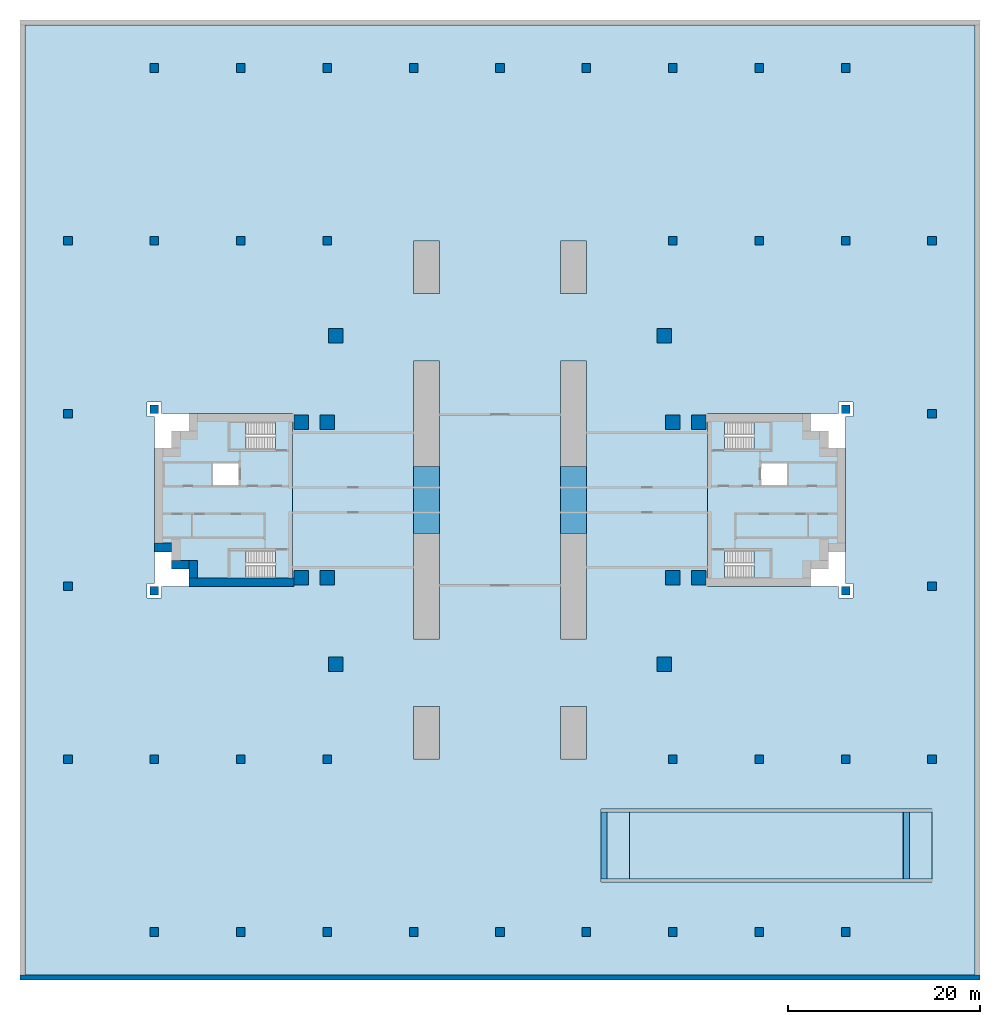
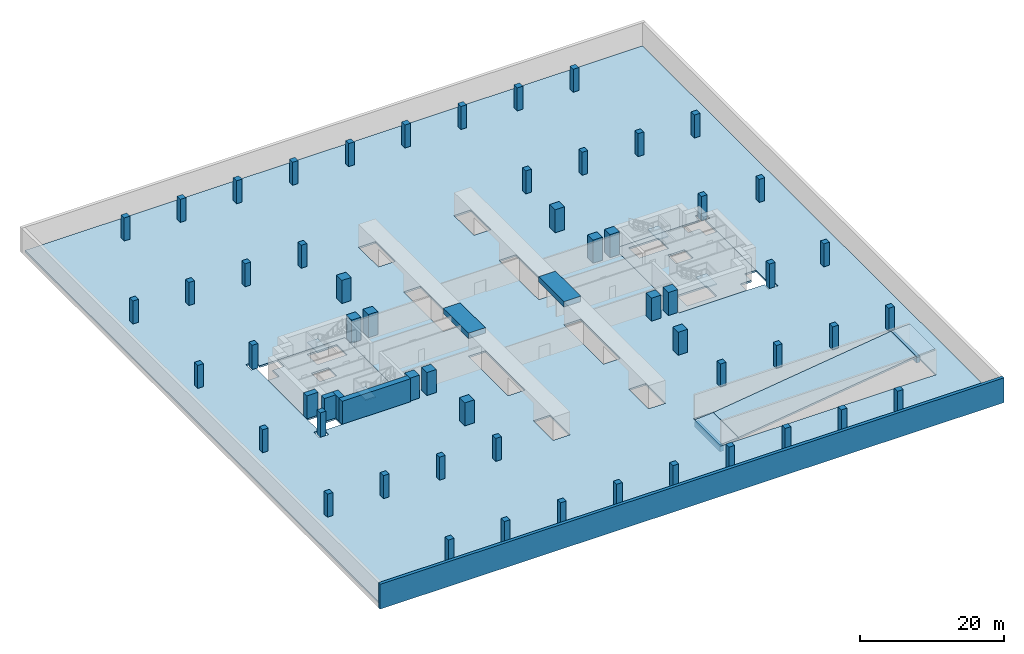
# One storey, part 1 of 8: 54 columns, 10 slabs, 5 walls, 4 beams, 4 elements without a shape of their own.
"""IFC4 building model written with IfcOpenShell, lengths in metres."""

from ifc_helpers import new_model, si_unit, direction, frame, frame_2d, origin, origin_2d, place, context, subcontext, project, spatial, polyline, rectangle, outline, extrude, material, layer, layer_set, material_profile, profile_set, type_object, element, aggregate, save


model = new_model("IFC4")

# Units and contexts
model_context = context("Model", 3, precision=1e-05, world=origin(), true_north=direction((0.0, 1.0)))
body_context = subcontext(model_context, "Body", "Model", "MODEL_VIEW")
ifc_project = project(units=[si_unit("LENGTHUNIT", "METRE"), si_unit("AREAUNIT", "SQUARE_METRE"), si_unit("VOLUMEUNIT", "CUBIC_METRE"), si_unit("PLANEANGLEUNIT", "RADIAN"), si_unit("MASSUNIT", "GRAM", prefix="KILO")], contexts=[model_context])

# Site, building, storey
site_placement = place(None, origin())
site = spatial("IfcSite", under=ifc_project, at=site_placement, CompositionType="ELEMENT")
building_placement = place(site_placement, origin())
building = spatial("IfcBuilding", under=site, at=building_placement, Name="Perihelion Cross Residences", CompositionType="ELEMENT")
storey_placement = place(building_placement, frame((0.0, 0.0, -8.699951171875)))
storey = spatial("IfcBuildingStorey", under=building, at=storey_placement, Name="B2", CompositionType="ELEMENT", Elevation=-8.699951171875)

# Columns
ifc_material_1 = material(Name="Concrete C80/95", Category="concrete")
ifc_material_profile_1 = material_profile(ifc_material_1, rectangle(XDim=1.5, YDim=1.5, at=origin_2d()), Name="RC 1500x1500")
ifc_profile_set_1 = profile_set([ifc_material_profile_1], Name="Concrete C80/95")
column_type_1 = type_object("IfcColumnType", Name="Reinforced concrete column 1500x1500 C80/95", PredefinedType="COLUMN", material=ifc_profile_set_1)
for number, where, z_axis, x_axis, name in (
    (1, (-20.699951171875, -8.10009765625, -0.300048828125), (0.0, 0.0, 1.0), (1.0, 0.0, 0.0), "Column C017 B2 no. 1"),
    (2, (-20.699951171875, 8.10009765625, -0.300048828125), (0.0, 0.0, 1.0), (1.0, 0.0, 0.0), "Column C010 B2 no. 1"),
    (3, (-18.0, -8.10009765625, -0.300048828125), (0.0, 0.0, 1.0), (1.0, 0.0, 0.0), "Column C018 B2 no. 1"),
    (4, (-18.0, 8.10009765625, -0.300048828125), (0.0, 0.0, 1.0), (1.0, 0.0, 0.0), "Column C011 B2 no. 1"),
    (5, (18.0, -8.10009765625, -0.300048828125), (0.0, 0.0, 1.0), (1.0, 0.0, 0.0), "Column C021 B2 no. 1"),
    (6, (18.0, 8.10009765625, -0.300048828125), (0.0, 0.0, 1.0), (1.0, 0.0, 0.0), "Column C015 B2 no. 1"),
    (7, (20.699951171875, -8.10009765625, -0.300048828125), (0.0, 0.0, 1.0), (1.0, 0.0, 0.0), "Column C022 B2 no. 1"),
    (8, (20.699951171875, 8.10009765625, -0.300048828125), (0.0, 0.0, 1.0), (1.0, 0.0, 0.0), "Column C016 B2 no. 1"),
    (9, (17.10009765625, 17.10009765625, -0.300048828125), (0.0, 0.0, 1.0), (1.0, 0.0, 0.0), "Column C009 B2 no. 1"),
    (10, (-17.10009765625, 17.10009765625, -0.300048828125), (0.0, 0.0, 1.0), (1.0, 0.0, 0.0), "Column C008 B2 no. 1"),
    (11, (-17.10009765625, -17.10009765625, -0.300048828125), (0.0, 0.0, 1.0), (1.0, 0.0, 0.0), "Column C030 B2 no. 1"),
    (12, (17.10009765625, -17.10009765625, -0.300048828125), (0.0, 0.0, 1.0), (1.0, 0.0, 0.0), "Column C036 B2 no. 1"),
):
    element("IfcColumn", number, at=place(storey_placement, frame(where, z_axis=z_axis, x_axis=x_axis)), inside=storey, type_object=column_type_1, Name=name, PredefinedType="COLUMN", context=body_context, shape_type="SweptSolid", body=[
        extrude(rectangle(XDim=1.5, YDim=1.5, at=origin_2d()), origin(), (0.0, 0.0, 1.0), 4.199951171875),
    ])
ifc_material_2 = material(Name="Concrete C50/60", Category="concrete")
ifc_material_profile_2 = material_profile(ifc_material_2, rectangle(XDim=0.89990234375, YDim=0.89990234375, at=origin_2d()), Name="RC 900x900")
ifc_profile_set_2 = profile_set([ifc_material_profile_2], Name="Concrete C50/60")
column_type_2 = type_object("IfcColumnType", Name="Reinforced concrete column 900x900 C50/60", PredefinedType="COLUMN", material=ifc_profile_set_2)
for number, where, z_axis, x_axis, name in (
    (13, (-45.0, -27.0, -0.300048828125), (0.0, 0.0, 1.0), (1.0, 0.0, 0.0), "Column CP12 B2 no. 1"),
    (14, (-45.0, -9.0, -0.300048828125), (0.0, 0.0, 1.0), (1.0, 0.0, 0.0), "Column CP13 B2 no. 1"),
    (15, (-45.0, 9.0, -0.300048828125), (0.0, 0.0, 1.0), (1.0, 0.0, 0.0), "Column CP14 B2 no. 1"),
    (16, (-45.0, 27.0, -0.300048828125), (0.0, 0.0, 1.0), (1.0, 0.0, 0.0), "Column CP15 B2 no. 1"),
    (17, (-36.0, -45.0, -0.300048828125), (0.0, 0.0, 1.0), (1.0, 0.0, 0.0), "Column CP21 B2 no. 1"),
    (18, (-36.0, -27.0, -0.300048828125), (0.0, 0.0, 1.0), (1.0, 0.0, 0.0), "Column CP22 B2 no. 1"),
    (19, (-36.0, 27.0, -0.300048828125), (0.0, 0.0, 1.0), (1.0, 0.0, 0.0), "Column CP25 B2 no. 1"),
    (20, (-36.0, 45.0, -0.300048828125), (0.0, 0.0, 1.0), (1.0, 0.0, 0.0), "Column CP26 B2 no. 1"),
    (21, (-27.0, -45.0, -0.300048828125), (0.0, 0.0, 1.0), (1.0, 0.0, 0.0), "Column CP31 B2 no. 1"),
    (22, (-27.0, -27.0, -0.300048828125), (0.0, 0.0, 1.0), (1.0, 0.0, 0.0), "Column CP32 B2 no. 1"),
    (23, (-27.0, 27.0, -0.300048828125), (0.0, 0.0, 1.0), (1.0, 0.0, 0.0), "Column CP35 B2 no. 1"),
    (24, (-27.0, 45.0, -0.300048828125), (0.0, 0.0, 1.0), (1.0, 0.0, 0.0), "Column CP36 B2 no. 1"),
    (25, (-18.0, -45.0, -0.300048828125), (0.0, 0.0, 1.0), (1.0, 0.0, 0.0), "Column CP41 B2 no. 1"),
    (26, (-18.0, -27.0, -0.300048828125), (0.0, 0.0, 1.0), (1.0, 0.0, 0.0), "Column CP42 B2 no. 1"),
    (27, (-18.0, 27.0, -0.300048828125), (0.0, 0.0, 1.0), (1.0, 0.0, 0.0), "Column CP45 B2 no. 1"),
    (28, (-18.0, 45.0, -0.300048828125), (0.0, 0.0, 1.0), (1.0, 0.0, 0.0), "Column CP46 B2 no. 1"),
    (29, (-9.0, -45.0, -0.300048828125), (0.0, 0.0, 1.0), (1.0, 0.0, 0.0), "Column CP51 B2 no. 1"),
    (30, (-9.0, 45.0, -0.300048828125), (0.0, 0.0, 1.0), (1.0, 0.0, 0.0), "Column CP56 B2 no. 1"),
    (31, (0.0, -45.0, -0.300048828125), (0.0, 0.0, 1.0), (1.0, 0.0, 0.0), "Column CP61 B2 no. 1"),
    (32, (0.0, 45.0, -0.300048828125), (0.0, 0.0, 1.0), (1.0, 0.0, 0.0), "Column CP66 B2 no. 1"),
    (33, (9.0, -45.0, -0.300048828125), (0.0, 0.0, 1.0), (1.0, 0.0, 0.0), "Column CP71 B2 no. 1"),
    (34, (9.0, 45.0, -0.300048828125), (0.0, 0.0, 1.0), (1.0, 0.0, 0.0), "Column CP76 B2 no. 1"),
    (35, (18.0, -45.0, -0.300048828125), (0.0, 0.0, 1.0), (1.0, 0.0, 0.0), "Column CP81 B2 no. 1"),
    (36, (18.0, -27.0, -0.300048828125), (0.0, 0.0, 1.0), (1.0, 0.0, 0.0), "Column CP82 B2 no. 1"),
    (37, (18.0, 27.0, -0.300048828125), (0.0, 0.0, 1.0), (1.0, 0.0, 0.0), "Column CP85 B2 no. 1"),
    (38, (18.0, 45.0, -0.300048828125), (0.0, 0.0, 1.0), (1.0, 0.0, 0.0), "Column CP86 B2 no. 1"),
    (39, (27.0, -45.0, -0.300048828125), (0.0, 0.0, 1.0), (1.0, 0.0, 0.0), "Column CP91 B2 no. 1"),
    (40, (27.0, -27.0, -0.300048828125), (0.0, 0.0, 1.0), (1.0, 0.0, 0.0), "Column CP92 B2 no. 1"),
    (41, (27.0, 27.0, -0.300048828125), (0.0, 0.0, 1.0), (1.0, 0.0, 0.0), "Column CP95 B2 no. 1"),
    (42, (27.0, 45.0, -0.300048828125), (0.0, 0.0, 1.0), (1.0, 0.0, 0.0), "Column CP96 B2 no. 1"),
    (43, (36.0, -45.0, -0.300048828125), (0.0, 0.0, 1.0), (1.0, 0.0, 0.0), "Column CP101 B2 no. 1"),
    (44, (36.0, -27.0, -0.300048828125), (0.0, 0.0, 1.0), (1.0, 0.0, 0.0), "Column CP102 B2 no. 1"),
    (45, (36.0, 27.0, -0.300048828125), (0.0, 0.0, 1.0), (1.0, 0.0, 0.0), "Column CP105 B2 no. 1"),
    (46, (36.0, 45.0, -0.300048828125), (0.0, 0.0, 1.0), (1.0, 0.0, 0.0), "Column CP106 B2 no. 1"),
    (47, (45.0, -27.0, -0.300048828125), (0.0, 0.0, 1.0), (1.0, 0.0, 0.0), "Column CP112 B2 no. 1"),
    (48, (45.0, -9.0, -0.300048828125), (0.0, 0.0, 1.0), (1.0, 0.0, 0.0), "Column CP113 B2 no. 1"),
    (49, (45.0, 9.0, -0.300048828125), (0.0, 0.0, 1.0), (1.0, 0.0, 0.0), "Column CP114 B2 no. 1"),
    (50, (45.0, 27.0, -0.300048828125), (0.0, 0.0, 1.0), (1.0, 0.0, 0.0), "Column CP115 B2 no. 1"),
    (51, (36.0, 9.449951171875, -0.300048828125), (0.0, 0.0, 1.0), (1.0, 0.0, 0.0), "Column LC1 B2 loggia no. 1"),
    (52, (36.0, -9.449951171875, -0.300048828125), (0.0, 0.0, 1.0), (1.0, 0.0, 0.0), "Column LC2 B2 loggia no. 1"),
    (53, (-36.0, 9.449951171875, -0.300048828125), (0.0, 0.0, 1.0), (1.0, 0.0, 0.0), "Column LC3 B2 loggia no. 1"),
    (54, (-36.0, -9.449951171875, -0.300048828125), (0.0, 0.0, 1.0), (1.0, 0.0, 0.0), "Column LC4 B2 loggia no. 1"),
):
    element("IfcColumn", number, at=place(storey_placement, frame(where, z_axis=z_axis, x_axis=x_axis)), inside=storey, type_object=column_type_2, Name=name, PredefinedType="COLUMN", context=body_context, shape_type="SweptSolid", body=[
        extrude(rectangle(XDim=0.89990234375, YDim=0.89990234375, at=origin_2d()), origin(), (0.0, 0.0, 1.0), 4.199951171875),
    ])

# Beams
ifc_material_3 = material(Name="Concrete C60/75", Category="concrete")
ifc_material_profile_3 = material_profile(ifc_material_3, rectangle(XDim=2.699951171875, YDim=0.89990234375, at=origin_2d()), Name="Lane lintel beam 2700 x 900 concrete C60/75")
ifc_profile_set_3 = profile_set([ifc_material_profile_3], Name="Concrete C60/75")
beam_type_1 = type_object("IfcBeamType", Name="Lane lintel beam 2700 x 900 concrete C60/75", PredefinedType="BEAM", material=ifc_profile_set_3)
for number, where, z_axis, x_axis, name in (
    (55, (7.64990234375, -3.5, 3.449951171875), (0.0, 1.0, 0.0), (-1.0, 0.0, 0.0), "Beam CB7 B2 pier east lintel"),
    (56, (-7.64990234375, -3.5, 3.449951171875), (0.0, 1.0, 0.0), (-1.0, 0.0, 0.0), "Beam CB7 B2 pier west lintel"),
):
    element("IfcBeam", number, at=place(storey_placement, frame(where, z_axis=z_axis, x_axis=x_axis)), inside=storey, type_object=beam_type_1, Name=name, PredefinedType="BEAM", context=body_context, shape_type="SweptSolid", body=[
        extrude(rectangle(XDim=2.699951171875, YDim=0.89990234375, at=origin_2d()), origin(), (0.0, 0.0, 1.0), 7.0),
    ])
ifc_material_4 = material(Name="Concrete C50/60", Category="concrete")
ifc_material_profile_4 = material_profile(ifc_material_4, rectangle(XDim=0.60009765625, YDim=0.89990234375, at=origin_2d()), Name="RC 600x900")
ifc_profile_set_4 = profile_set([ifc_material_profile_4], Name="Concrete C50/60")
beam_type_2 = type_object("IfcBeamType", Name="Ramp house end beam 600 x 900 concrete C50/60", PredefinedType="BEAM", material=ifc_profile_set_4)
for number, where, z_axis, x_axis, name in (
    (57, (42.3330078125, -39.5, 3.25146484375), (0.0, 1.0, 0.0), (-1.0, 0.0, 0.0), "Ramp bearer B1 to B2 piece 1"),
    (58, (10.820068359375, -39.5, -0.749267578125), (0.0, 1.0, 0.0), (-1.0, 0.0, 0.0), "Ramp bearer B1 to B2 piece 3"),
):
    element("IfcBeam", number, at=place(storey_placement, frame(where, z_axis=z_axis, x_axis=x_axis)), inside=storey, type_object=beam_type_2, Name=name, PredefinedType="BEAM", context=body_context, shape_type="SweptSolid", body=[
        extrude(rectangle(XDim=0.60009765625, YDim=0.89990234375, at=origin_2d()), origin(), (0.0, 0.0, 1.0), 7.0),
    ])

# Slabs
ifc_material_5 = material(Name="Concrete C40/50", Category="concrete")
ifc_layer_1 = layer(ifc_material_5, 0.300048828125)
ifc_layer_set_1 = layer_set([ifc_layer_1], Name="Basement flat plate concrete C40/50")
slab_type_1 = type_object("IfcSlabType", Name="Basement flat plate concrete C40/50", PredefinedType="FLOOR", material=ifc_layer_set_1)
slab_1_placement = place(storey_placement, frame((0.0, 0.0, -0.300048828125)))
element("IfcSlab", 59, at=slab_1_placement, inside=storey, type_object=slab_type_1, Name="Slab SL2 B2 1 no. 1", PredefinedType="FLOOR", context=body_context, shape_type="SweptSolid", body=[
    extrude(outline(polyline([(-49.5, -49.5), (-49.5, 49.5), (49.5, 49.5), (49.5, -49.5), (-49.5, -49.5)]), holes=[polyline([(-18.449951171875, -45.449951171875), (-17.550048828125, -45.449951171875), (-17.550048828125, -44.550048828125), (-18.449951171875, -44.550048828125), (-18.449951171875, -45.449951171875)]), polyline([(-36.449951171875, -45.449951171875), (-35.550048828125, -45.449951171875), (-35.550048828125, -44.550048828125), (-36.449951171875, -44.550048828125), (-36.449951171875, -45.449951171875)]), polyline([(-27.449951171875, -45.449951171875), (-26.550048828125, -45.449951171875), (-26.550048828125, -44.550048828125), (-27.449951171875, -44.550048828125), (-27.449951171875, -45.449951171875)]), polyline([(-45.449951171875, -27.449951171875), (-44.550048828125, -27.449951171875), (-44.550048828125, -26.550048828125), (-45.449951171875, -26.550048828125), (-45.449951171875, -27.449951171875)]), polyline([(-18.449951171875, -27.449951171875), (-17.550048828125, -27.449951171875), (-17.550048828125, -26.550048828125), (-18.449951171875, -26.550048828125), (-18.449951171875, -27.449951171875)]), polyline([(-36.449951171875, -27.449951171875), (-35.550048828125, -27.449951171875), (-35.550048828125, -26.550048828125), (-36.449951171875, -26.550048828125), (-36.449951171875, -27.449951171875)]), polyline([(-27.449951171875, -27.449951171875), (-26.550048828125, -27.449951171875), (-26.550048828125, -26.550048828125), (-27.449951171875, -26.550048828125), (-27.449951171875, -27.449951171875)]), polyline([(-36.75, -10.199951171875), (-35.25, -10.199951171875), (-35.25, -9.0), (-21.60009765625, -9.0), (-21.60009765625, 9.0), (-35.25, 9.0), (-35.25, 10.199951171875), (-36.75, 10.199951171875), (-36.75, 8.699951171875), (-36.0, 8.699951171875), (-36.0, -8.699951171875), (-36.75, -8.699951171875), (-36.75, -10.199951171875)]), polyline([(-45.449951171875, -9.449951171875), (-44.550048828125, -9.449951171875), (-44.550048828125, -8.550048828125), (-45.449951171875, -8.550048828125), (-45.449951171875, -9.449951171875)]), polyline([(-21.449951171875, -8.85009765625), (-19.949951171875, -8.85009765625), (-19.949951171875, -7.35009765625), (-21.449951171875, -7.35009765625), (-21.449951171875, -8.85009765625)]), polyline([(-18.75, 7.35009765625), (-17.25, 7.35009765625), (-17.25, 8.85009765625), (-18.75, 8.85009765625), (-18.75, 7.35009765625)]), polyline([(-21.449951171875, 7.35009765625), (-19.949951171875, 7.35009765625), (-19.949951171875, 8.85009765625), (-21.449951171875, 8.85009765625), (-21.449951171875, 7.35009765625)]), polyline([(-45.449951171875, 8.550048828125), (-44.550048828125, 8.550048828125), (-44.550048828125, 9.449951171875), (-45.449951171875, 9.449951171875), (-45.449951171875, 8.550048828125)]), polyline([(-27.449951171875, 26.550048828125), (-26.550048828125, 26.550048828125), (-26.550048828125, 27.449951171875), (-27.449951171875, 27.449951171875), (-27.449951171875, 26.550048828125)]), polyline([(-36.449951171875, 26.550048828125), (-35.550048828125, 26.550048828125), (-35.550048828125, 27.449951171875), (-36.449951171875, 27.449951171875), (-36.449951171875, 26.550048828125)]), polyline([(-18.449951171875, 26.550048828125), (-17.550048828125, 26.550048828125), (-17.550048828125, 27.449951171875), (-18.449951171875, 27.449951171875), (-18.449951171875, 26.550048828125)]), polyline([(-45.449951171875, 26.550048828125), (-44.550048828125, 26.550048828125), (-44.550048828125, 27.449951171875), (-45.449951171875, 27.449951171875), (-45.449951171875, 26.550048828125)]), polyline([(-27.449951171875, 44.550048828125), (-26.550048828125, 44.550048828125), (-26.550048828125, 45.449951171875), (-27.449951171875, 45.449951171875), (-27.449951171875, 44.550048828125)]), polyline([(-36.449951171875, 44.550048828125), (-35.550048828125, 44.550048828125), (-35.550048828125, 45.449951171875), (-36.449951171875, 45.449951171875), (-36.449951171875, 44.550048828125)]), polyline([(-18.449951171875, 44.550048828125), (-17.550048828125, 44.550048828125), (-17.550048828125, 45.449951171875), (-18.449951171875, 45.449951171875), (-18.449951171875, 44.550048828125)]), polyline([(17.550048828125, -45.449951171875), (18.449951171875, -45.449951171875), (18.449951171875, -44.550048828125), (17.550048828125, -44.550048828125), (17.550048828125, -45.449951171875)]), polyline([(-9.449951171875, -45.449951171875), (-8.550048828125, -45.449951171875), (-8.550048828125, -44.550048828125), (-9.449951171875, -44.550048828125), (-9.449951171875, -45.449951171875)]), polyline([(8.550048828125, -45.449951171875), (9.449951171875, -45.449951171875), (9.449951171875, -44.550048828125), (8.550048828125, -44.550048828125), (8.550048828125, -45.449951171875)]), polyline([(-0.449951171875, -45.449951171875), (0.449951171875, -45.449951171875), (0.449951171875, -44.550048828125), (-0.449951171875, -44.550048828125), (-0.449951171875, -45.449951171875)]), polyline([(6.300048828125, -27.0), (9.0, -27.0), (9.0, -21.5), (6.300048828125, -21.5), (6.300048828125, -27.0)]), polyline([(-9.0, -27.0), (-6.300048828125, -27.0), (-6.300048828125, -21.5), (-9.0, -21.5), (-9.0, -27.0)]), polyline([(-17.85009765625, -17.85009765625), (-16.35009765625, -17.85009765625), (-16.35009765625, -16.35009765625), (-17.85009765625, -16.35009765625), (-17.85009765625, -17.85009765625)]), polyline([(16.35009765625, -17.85009765625), (17.85009765625, -17.85009765625), (17.85009765625, -16.35009765625), (16.35009765625, -16.35009765625), (16.35009765625, -17.85009765625)]), polyline([(-9.0, -14.5), (-6.300048828125, -14.5), (-6.300048828125, -3.5), (-9.0, -3.5), (-9.0, -14.5)]), polyline([(6.300048828125, -14.5), (9.0, -14.5), (9.0, -3.5), (6.300048828125, -3.5), (6.300048828125, -14.5)]), polyline([(-18.75, -8.85009765625), (-17.25, -8.85009765625), (-17.25, -7.35009765625), (-18.75, -7.35009765625), (-18.75, -8.85009765625)]), polyline([(17.25, 7.35009765625), (18.75, 7.35009765625), (18.75, 8.85009765625), (17.25, 8.85009765625), (17.25, 7.35009765625)]), polyline([(-9.0, 3.5), (-6.300048828125, 3.5), (-6.300048828125, 14.5), (-9.0, 14.5), (-9.0, 3.5)]), polyline([(6.300048828125, 3.5), (9.0, 3.5), (9.0, 14.5), (6.300048828125, 14.5), (6.300048828125, 3.5)]), polyline([(16.35009765625, 16.35009765625), (17.85009765625, 16.35009765625), (17.85009765625, 17.85009765625), (16.35009765625, 17.85009765625), (16.35009765625, 16.35009765625)]), polyline([(-17.85009765625, 16.35009765625), (-16.35009765625, 16.35009765625), (-16.35009765625, 17.85009765625), (-17.85009765625, 17.85009765625), (-17.85009765625, 16.35009765625)]), polyline([(6.300048828125, 21.5), (9.0, 21.5), (9.0, 27.0), (6.300048828125, 27.0), (6.300048828125, 21.5)]), polyline([(-9.0, 21.5), (-6.300048828125, 21.5), (-6.300048828125, 27.0), (-9.0, 27.0), (-9.0, 21.5)]), polyline([(-0.449951171875, 44.550048828125), (0.449951171875, 44.550048828125), (0.449951171875, 45.449951171875), (-0.449951171875, 45.449951171875), (-0.449951171875, 44.550048828125)]), polyline([(-9.449951171875, 44.550048828125), (-8.550048828125, 44.550048828125), (-8.550048828125, 45.449951171875), (-9.449951171875, 45.449951171875), (-9.449951171875, 44.550048828125)]), polyline([(8.550048828125, 44.550048828125), (9.449951171875, 44.550048828125), (9.449951171875, 45.449951171875), (8.550048828125, 45.449951171875), (8.550048828125, 44.550048828125)]), polyline([(17.550048828125, 44.550048828125), (18.449951171875, 44.550048828125), (18.449951171875, 45.449951171875), (17.550048828125, 45.449951171875), (17.550048828125, 44.550048828125)]), polyline([(26.550048828125, -45.449951171875), (27.449951171875, -45.449951171875), (27.449951171875, -44.550048828125), (26.550048828125, -44.550048828125), (26.550048828125, -45.449951171875)]), polyline([(35.550048828125, -45.449951171875), (36.449951171875, -45.449951171875), (36.449951171875, -44.550048828125), (35.550048828125, -44.550048828125), (35.550048828125, -45.449951171875)]), polyline([(10.5, -39.800048828125), (45.0, -39.800048828125), (45.0, -32.199951171875), (10.5, -32.199951171875), (10.5, -39.800048828125)]), polyline([(44.550048828125, -27.449951171875), (45.449951171875, -27.449951171875), (45.449951171875, -26.550048828125), (44.550048828125, -26.550048828125), (44.550048828125, -27.449951171875)]), polyline([(35.550048828125, -27.449951171875), (36.449951171875, -27.449951171875), (36.449951171875, -26.550048828125), (35.550048828125, -26.550048828125), (35.550048828125, -27.449951171875)]), polyline([(26.550048828125, -27.449951171875), (27.449951171875, -27.449951171875), (27.449951171875, -26.550048828125), (26.550048828125, -26.550048828125), (26.550048828125, -27.449951171875)]), polyline([(17.550048828125, -27.449951171875), (18.449951171875, -27.449951171875), (18.449951171875, -26.550048828125), (17.550048828125, -26.550048828125), (17.550048828125, -27.449951171875)]), polyline([(35.25, -10.199951171875), (36.75, -10.199951171875), (36.75, -8.699951171875), (36.0, -8.699951171875), (36.0, 8.699951171875), (36.75, 8.699951171875), (36.75, 10.199951171875), (35.25, 10.199951171875), (35.25, 9.0), (21.60009765625, 9.0), (21.60009765625, -9.0), (35.25, -9.0), (35.25, -10.199951171875)]), polyline([(44.550048828125, -9.449951171875), (45.449951171875, -9.449951171875), (45.449951171875, -8.550048828125), (44.550048828125, -8.550048828125), (44.550048828125, -9.449951171875)]), polyline([(17.25, -8.85009765625), (18.75, -8.85009765625), (18.75, -7.35009765625), (17.25, -7.35009765625), (17.25, -8.85009765625)]), polyline([(19.949951171875, -8.85009765625), (21.449951171875, -8.85009765625), (21.449951171875, -7.35009765625), (19.949951171875, -7.35009765625), (19.949951171875, -8.85009765625)]), polyline([(19.949951171875, 7.35009765625), (21.449951171875, 7.35009765625), (21.449951171875, 8.85009765625), (19.949951171875, 8.85009765625), (19.949951171875, 7.35009765625)]), polyline([(44.550048828125, 8.550048828125), (45.449951171875, 8.550048828125), (45.449951171875, 9.449951171875), (44.550048828125, 9.449951171875), (44.550048828125, 8.550048828125)]), polyline([(35.550048828125, 26.550048828125), (36.449951171875, 26.550048828125), (36.449951171875, 27.449951171875), (35.550048828125, 27.449951171875), (35.550048828125, 26.550048828125)]), polyline([(26.550048828125, 26.550048828125), (27.449951171875, 26.550048828125), (27.449951171875, 27.449951171875), (26.550048828125, 27.449951171875), (26.550048828125, 26.550048828125)]), polyline([(44.550048828125, 26.550048828125), (45.449951171875, 26.550048828125), (45.449951171875, 27.449951171875), (44.550048828125, 27.449951171875), (44.550048828125, 26.550048828125)]), polyline([(17.550048828125, 26.550048828125), (18.449951171875, 26.550048828125), (18.449951171875, 27.449951171875), (17.550048828125, 27.449951171875), (17.550048828125, 26.550048828125)]), polyline([(35.550048828125, 45.449951171875), (35.550048828125, 44.550048828125), (36.449951171875, 44.550048828125), (36.449951171875, 45.449951171875), (35.550048828125, 45.449951171875)]), polyline([(26.550048828125, 45.449951171875), (26.550048828125, 44.550048828125), (27.449951171875, 44.550048828125), (27.449951171875, 45.449951171875), (26.550048828125, 45.449951171875)])]), origin(), (0.0, 0.0, 1.0), 0.300048828125),
])
ifc_material_6 = material(Name="Concrete C40/50", Category="concrete")
ifc_layer_2 = layer(ifc_material_6, 0.300048828125)
ifc_layer_set_2 = layer_set([ifc_layer_2], Name="Core floor slab 300")
slab_type_2 = type_object("IfcSlabType", Name="Core floor slab 300", PredefinedType="FLOOR", material=ifc_layer_set_2)
slab_2_placement = place(storey_placement, frame((0.0, 0.0, -0.300048828125)))
element("IfcSlab", 60, at=slab_2_placement, inside=storey, type_object=slab_type_2, Name="East core floor slab", PredefinedType="FLOOR", context=body_context, shape_type="SweptSolid", body=[
    extrude(outline(polyline([(32.39990234375, 7.199951171875), (34.199951171875, 7.199951171875), (34.199951171875, 5.39990234375), (36.0, 5.39990234375), (36.0, -5.39990234375), (34.199951171875, -5.39990234375), (34.199951171875, -7.199951171875), (32.39990234375, -7.199951171875), (32.39990234375, -9.0), (21.60009765625, -9.0), (21.60009765625, 9.0), (32.39990234375, 9.0), (32.39990234375, 7.199951171875)]), holes=[polyline([(28.14990234375, -5.25), (23.405029296875, -5.25), (23.405029296875, -8.10009765625), (28.14990234375, -8.10009765625), (28.14990234375, -5.25)]), polyline([(27.199951171875, 1.550048828125), (29.89990234375, 1.550048828125), (29.89990234375, 3.85009765625), (27.199951171875, 3.85009765625), (27.199951171875, 1.550048828125)]), polyline([(28.14990234375, 5.25), (28.14990234375, 8.10009765625), (23.405029296875, 8.10009765625), (23.405029296875, 5.25), (28.14990234375, 5.25)])]), origin(), (0.0, 0.0, 1.0), 0.300048828125),
])
slab_3_placement = place(storey_placement, frame((0.0, 0.0, -0.300048828125)))
element("IfcSlab", 61, at=slab_3_placement, inside=storey, type_object=slab_type_2, Name="West core floor slab", PredefinedType="FLOOR", context=body_context, shape_type="SweptSolid", body=[
    extrude(outline(polyline([(-32.39990234375, 7.199951171875), (-34.199951171875, 7.199951171875), (-34.199951171875, 5.39990234375), (-36.0, 5.39990234375), (-36.0, -5.39990234375), (-34.199951171875, -5.39990234375), (-34.199951171875, -7.199951171875), (-32.39990234375, -7.199951171875), (-32.39990234375, -9.0), (-21.60009765625, -9.0), (-21.60009765625, 9.0), (-32.39990234375, 9.0), (-32.39990234375, 7.199951171875)]), holes=[polyline([(-28.14990234375, -5.25), (-23.405029296875, -5.25), (-23.405029296875, -8.10009765625), (-28.14990234375, -8.10009765625), (-28.14990234375, -5.25)]), polyline([(-27.199951171875, 1.550048828125), (-29.89990234375, 1.550048828125), (-29.89990234375, 3.85009765625), (-27.199951171875, 3.85009765625), (-27.199951171875, 1.550048828125)]), polyline([(-28.14990234375, 5.25), (-28.14990234375, 8.10009765625), (-23.405029296875, 8.10009765625), (-23.405029296875, 5.25), (-28.14990234375, 5.25)])]), origin(), (0.0, 0.0, 1.0), 0.300048828125),
])

# Stair, slab
ifc_material_7 = material(Name="Concrete C40/50", Category="concrete")
stair_type = type_object("IfcStairType", Name="Exit stair, half-turn", PredefinedType="HALF_TURN_STAIR", material=ifc_material_7)
stair_1_placement = place(storey_placement, origin())
stair_1 = element("IfcStair", 62, at=stair_1_placement, inside=storey, type_object=stair_type, Name="B2 East core exit stair 1", PredefinedType="HALF_TURN_STAIR")
ifc_material_8 = material(Name="Concrete C40/50", Category="concrete")
ifc_layer_3 = layer(ifc_material_8, 0.199951171875)
ifc_layer_set_3 = layer_set([ifc_layer_3], Name="Exit stair landing 200")
slab_type_3 = type_object("IfcSlabType", Name="Exit stair landing 200", PredefinedType="LANDING", material=ifc_layer_set_3)
slab_4_placement = place(storey_placement, frame((0.0, 0.0, 1.89990234375)))
slab_4 = element("IfcSlab", 63, at=slab_4_placement, type_object=slab_type_3, Name="ST-E1 landing 1", PredefinedType="LANDING", context=body_context, shape_type="SweptSolid", body=[
    extrude(outline(polyline([(26.47998046875, 5.25), (28.14990234375, 5.25), (28.14990234375, 8.10009765625), (26.47998046875, 8.10009765625), (26.47998046875, 5.25)])), origin(), (0.0, 0.0, 1.0), 0.199951171875),
])
aggregate(stair_1, [slab_4])

stair_2_placement = place(storey_placement, origin())
stair_2 = element("IfcStair", 64, at=stair_2_placement, inside=storey, type_object=stair_type, Name="B2 East core exit stair 2", PredefinedType="HALF_TURN_STAIR")
slab_5_placement = place(storey_placement, frame((0.0, 0.0, 1.89990234375)))
slab_5 = element("IfcSlab", 65, at=slab_5_placement, type_object=slab_type_3, Name="ST-E2 landing 1", PredefinedType="LANDING", context=body_context, shape_type="SweptSolid", body=[
    extrude(outline(polyline([(26.47998046875, -8.10009765625), (28.14990234375, -8.10009765625), (28.14990234375, -5.25), (26.47998046875, -5.25), (26.47998046875, -8.10009765625)])), origin(), (0.0, 0.0, 1.0), 0.199951171875),
])
aggregate(stair_2, [slab_5])

stair_3_placement = place(storey_placement, origin())
stair_3 = element("IfcStair", 66, at=stair_3_placement, inside=storey, type_object=stair_type, Name="B2 West core exit stair 1", PredefinedType="HALF_TURN_STAIR")
slab_6_placement = place(storey_placement, frame((0.0, 0.0, 1.89990234375)))
slab_6 = element("IfcSlab", 67, at=slab_6_placement, type_object=slab_type_3, Name="ST-W1 landing 1", PredefinedType="LANDING", context=body_context, shape_type="SweptSolid", body=[
    extrude(outline(polyline([(-26.47998046875, 8.10009765625), (-28.14990234375, 8.10009765625), (-28.14990234375, 5.25), (-26.47998046875, 5.25), (-26.47998046875, 8.10009765625)])), origin(), (0.0, 0.0, 1.0), 0.199951171875),
])
aggregate(stair_3, [slab_6])

stair_4_placement = place(storey_placement, origin())
stair_4 = element("IfcStair", 68, at=stair_4_placement, inside=storey, type_object=stair_type, Name="B2 West core exit stair 2", PredefinedType="HALF_TURN_STAIR")
slab_7_placement = place(storey_placement, frame((0.0, 0.0, 1.89990234375)))
slab_7 = element("IfcSlab", 69, at=slab_7_placement, type_object=slab_type_3, Name="ST-W2 landing 1", PredefinedType="LANDING", context=body_context, shape_type="SweptSolid", body=[
    extrude(outline(polyline([(-26.47998046875, -5.25), (-28.14990234375, -5.25), (-28.14990234375, -8.10009765625), (-26.47998046875, -8.10009765625), (-26.47998046875, -5.25)])), origin(), (0.0, 0.0, 1.0), 0.199951171875),
])
aggregate(stair_4, [slab_7])

# Slabs
ifc_material_9 = material(Name="Concrete C40/50", Category="concrete")
ifc_layer_4 = layer(ifc_material_9, 0.300048828125)
ifc_layer_set_4 = layer_set([ifc_layer_4], Name="Vehicle ramp slab 300 concrete C40/50")
slab_type_4 = type_object("IfcSlabType", Name="Vehicle ramp slab 300 concrete C40/50", PredefinedType="USERDEFINED", material=ifc_layer_set_4)
slab_8_placement = place(storey_placement, frame((45.0, -39.5, 4.199951171875), z_axis=(-0.066546074071, 0.0, 0.997783353251), x_axis=(-0.997783353251, 0.0, -0.066546074071)))
element("IfcSlab", 70, at=slab_8_placement, inside=storey, type_object=slab_type_4, Name="Vehicle ramp B1 to B2 slab 1", ObjectType="VEHICLE RAMP", PredefinedType="USERDEFINED", context=body_context, shape_type="SweptSolid", body=[
    extrude(outline(polyline([(0.0, 0.0), (2.9936965145199235, 0.0), (2.9936965145199235, -7.0), (0.0, -7.0), (0.0, 0.0)])), origin(), (0.0, 0.0, -1.0), 0.300048828125),
])
slab_9_placement = place(storey_placement, frame((41.987060546875, -39.5, 3.998291015625), z_axis=(-0.132166503575, 0.0, 0.991227529547), x_axis=(-0.991227529547, 0.0, -0.132166503575)))
element("IfcSlab", 71, at=slab_9_placement, inside=storey, type_object=slab_type_4, Name="Vehicle ramp B1 to B2 slab 2", ObjectType="VEHICLE RAMP", PredefinedType="USERDEFINED", context=body_context, shape_type="SweptSolid", body=[
    extrude(outline(polyline([(0.0, 0.0), (28.726120133841555, 0.0), (28.726120133841555, -7.0), (0.0, -7.0), (0.0, 0.0)])), origin(), (0.0, 0.0, -1.0), 0.300048828125),
])
slab_10_placement = place(storey_placement, frame((13.487060546875, -39.5, 0.198974609375), z_axis=(-0.06646488299, 0.0, 0.997788764884), x_axis=(-0.997788764884, 0.0, -0.06646488299)))
element("IfcSlab", 72, at=slab_10_placement, inside=storey, type_object=slab_type_4, Name="Vehicle ramp B1 to B2 slab 3", ObjectType="VEHICLE RAMP", PredefinedType="USERDEFINED", context=body_context, shape_type="SweptSolid", body=[
    extrude(outline(polyline([(0.0, 0.0), (2.9936802778308023, 0.0), (2.9936802778308023, -7.000000000000002), (0.0, -7.0), (0.0, 0.0)])), origin(), (0.0, 0.0, -1.0), 0.300048828125),
])

# Walls
ifc_material_10 = material(Name="Concrete C40/50", Category="concrete")
ifc_layer_5 = layer(ifc_material_10, 0.5)
ifc_layer_set_5 = layer_set([ifc_layer_5], Name="Basement retaining wall 500 concrete C40/50")
wall_type_1 = type_object("IfcWallType", Name="Basement retaining wall 500 concrete C40/50", PredefinedType="SOLIDWALL", material=ifc_layer_set_5)
wall_1_placement = place(storey_placement, frame((-50.0, -49.75, -0.300048828125), z_axis=(0.0, 0.0, 1.0), x_axis=(1.0, 0.0, 0.0)))
element("IfcWall", 73, at=wall_1_placement, inside=storey, type_object=wall_type_1, Name="Wall SW1 B2 retaining south", PredefinedType="SOLIDWALL", context=body_context, shape_type="SweptSolid", body=[
    extrude(rectangle(XDim=100.0, YDim=0.5, at=frame_2d((50.0, 0.0))), origin(), (0.0, 0.0, 1.0), 4.199951171875),
])
ifc_material_11 = material(Name="Concrete C60/75", Category="concrete")
ifc_layer_6 = layer(ifc_material_11, 0.89990234375)
ifc_layer_set_6 = layer_set([ifc_layer_6], Name="Core wall, outer 900")
wall_type_2 = type_object("IfcWallType", Name="Core wall, outer 900", PredefinedType="SHEAR", material=ifc_layer_set_6)
wall_2_placement = place(storey_placement, frame((-32.39990234375, -8.550048828125, 0.0), z_axis=(0.0, 0.0, 1.0), x_axis=(1.0, 0.0, 0.0)))
element("IfcWall", 74, at=wall_2_placement, inside=storey, type_object=wall_type_2, Name="West core core wall, outer", PredefinedType="SHEAR", context=body_context, shape_type="SweptSolid", body=[
    extrude(rectangle(XDim=10.949951171875, YDim=0.89990234375, at=frame_2d((5.47509765625, 0.0))), origin(), (0.0, 0.0, 1.0), 3.89990234375),
])
for number, where, z_axis, x_axis, name in (
    (75, (-31.949951171875, -8.10009765625, 0.0), (0.0, 0.0, 1.0), (0.0, 1.0, 0.0), "West core core wall, outer"),
    (76, (-34.199951171875, -6.75, 0.0), (0.0, 0.0, 1.0), (1.0, 0.0, 0.0), "West core core wall, outer"),
    (77, (-36.0, -4.949951171875, 0.0), (0.0, 0.0, 1.0), (1.0, 0.0, 0.0), "West core core wall, outer"),
):
    element("IfcWall", number, at=place(storey_placement, frame(where, z_axis=z_axis, x_axis=x_axis)), inside=storey, type_object=wall_type_2, Name=name, PredefinedType="SHEAR", context=body_context, shape_type="SweptSolid", body=[
        extrude(rectangle(XDim=1.800048828125, YDim=0.89990234375, at=frame_2d((0.89990234375, 0.0))), origin(), (0.0, 0.0, 1.0), 3.89990234375),
    ])

save(model, "model.ifc")
